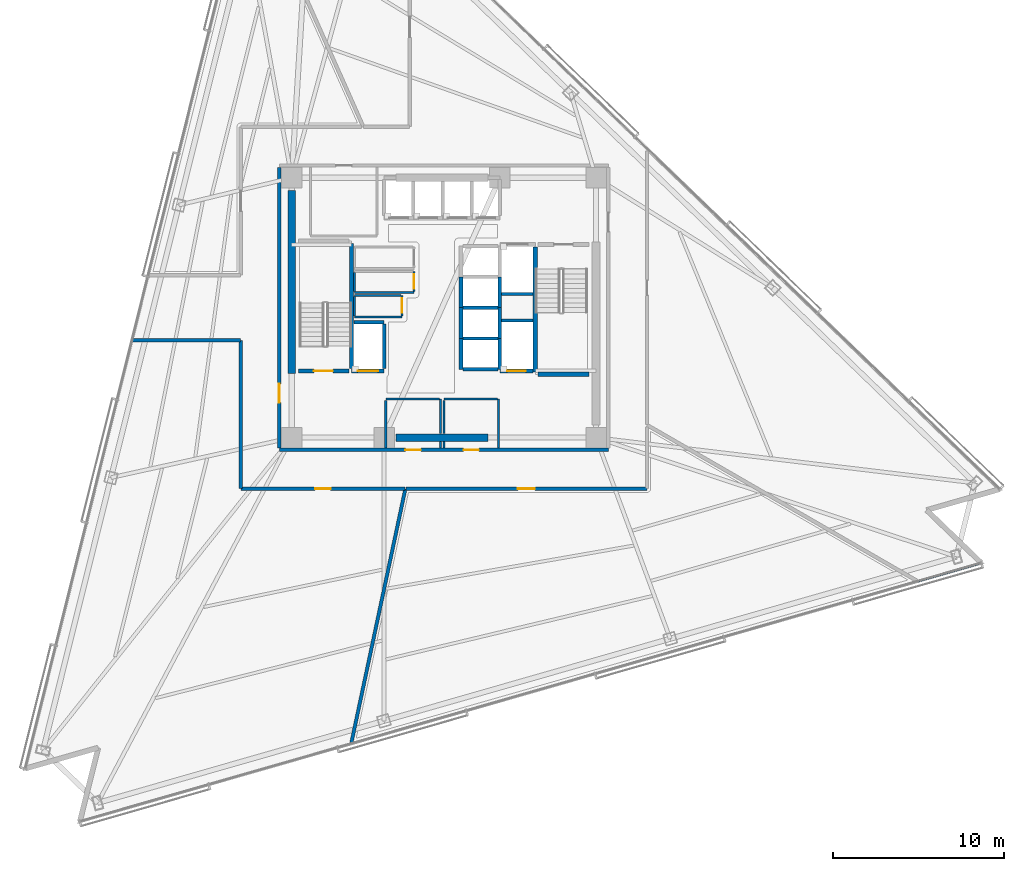
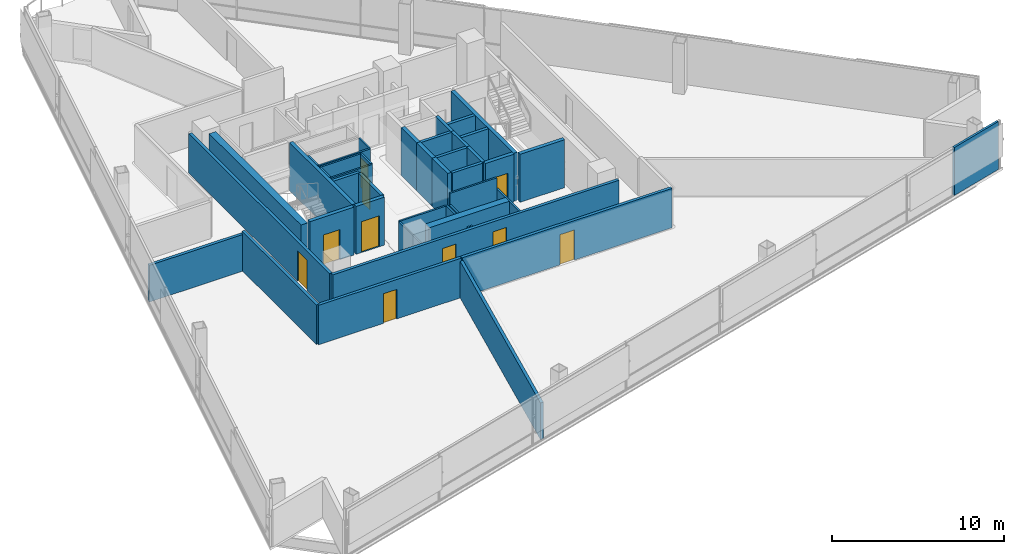
# One storey, part 9 of 16: 44 walls, 10 doors, 10 openings.
"""IFC4 building model written with IfcOpenShell, lengths in metres."""

from ifc_helpers import new_model, si_unit, direction, frame, frame_2d, origin, place, context, subcontext, project, spatial, rectangle, extrude, material, layer, layer_set, type_object, element, fill, save


model = new_model("IFC4")

# Units and contexts
model_context = context("Model", 3, precision=1e-05, world=origin(), true_north=direction((0.0, 1.0)))
body_context = subcontext(model_context, "Body", "Model", "MODEL_VIEW")
ifc_project = project(units=[si_unit("LENGTHUNIT", "METRE"), si_unit("AREAUNIT", "SQUARE_METRE"), si_unit("VOLUMEUNIT", "CUBIC_METRE"), si_unit("PLANEANGLEUNIT", "RADIAN"), si_unit("MASSUNIT", "GRAM", prefix="KILO")], contexts=[model_context])

# Site, building, storey
site_placement = place(None, origin())
site = spatial("IfcSite", under=ifc_project, at=site_placement, CompositionType="ELEMENT")
building_placement = place(site_placement, origin())
building = spatial("IfcBuilding", under=site, at=building_placement, Name="Tharavind Bronze Gate", CompositionType="ELEMENT")
storey_placement = place(building_placement, frame((0.0, 0.0, 104.10009765625)))
storey = spatial("IfcBuildingStorey", under=building, at=storey_placement, Name="L26", CompositionType="ELEMENT", Elevation=104.10009765625)

# Wall, openings, doors
ifc_material_1 = material(Name="Aerated Concrete Block", Category="concrete")
ifc_layer_1 = layer(ifc_material_1, 0.199951171875)
ifc_layer_set_1 = layer_set([ifc_layer_1], Name="Aerated Concrete Block")
wall_type_1 = type_object("IfcWallType", Name="FIRE RATED PARTITION 200", PredefinedType="PARTITIONING", material=ifc_layer_set_1)
wall_1_placement = place(storey_placement, frame((-9.6201171875, -8.320068359375, 0.0), z_axis=(0.0, 0.0, 1.0), x_axis=(1.0, 0.0, 0.0)))
wall_1 = element("IfcWall", 1, at=wall_1_placement, inside=storey, type_object=wall_type_1, Name="L26 south core corridor wall", PredefinedType="PARTITIONING", context=body_context, shape_type="SweptSolid", body=[
    extrude(rectangle(XDim=19.240234375, YDim=0.199951171875, at=frame_2d((9.6201171875, 0.0))), origin(), (0.0, 0.0, 1.0), 2.804931640625),
])
opening_1_placement = place(wall_1_placement, frame((7.3701171875, 0.0, 0.0)))
opening_1 = element("IfcOpeningElement", 2, at=opening_1_placement, cuts=wall_1, Name="Opening ID07", PredefinedType="OPENING", context=body_context, shape_type="SweptSolid", body=[
    extrude(rectangle(XDim=0.89990234375, YDim=2.10009765625, at=frame_2d((0.449951171875, 1.050048828125))), frame((0.0, 0.11009765625, 0.0), z_axis=(0.0, -1.0, 0.0), x_axis=(1.0, 0.0, 0.0)), (0.0, 0.0, 1.0), 0.219951171875),
])
opening_2_placement = place(wall_1_placement, frame((10.77001953125, 0.0, 0.0)))
opening_2 = element("IfcOpeningElement", 3, at=opening_2_placement, cuts=wall_1, Name="Opening ID07", PredefinedType="OPENING", context=body_context, shape_type="SweptSolid", body=[
    extrude(rectangle(XDim=0.89990234375, YDim=2.10009765625, at=frame_2d((0.449951171875, 1.050048828125))), frame((0.0, 0.11009765625, 0.0), z_axis=(0.0, -1.0, 0.0), x_axis=(1.0, 0.0, 0.0)), (0.0, 0.0, 1.0), 0.219951171875),
])
ifc_material_2 = material(Name="Galvanised Fire Steel", Category="steel")
door_type_1 = type_object("IfcDoorType", Name="PLANT AND RISER FIRE DOOR 900X2100", OperationType="SINGLE_SWING_LEFT", PredefinedType="DOOR", material=ifc_material_2)
door_1_placement = place(opening_1_placement, frame((0.89990234375, 0.0, 0.0), z_axis=(0.0, 0.0, 1.0), x_axis=(-1.0, 0.0, 0.0)))
door_1 = element("IfcDoor", 4, at=door_1_placement, inside=storey, type_object=door_type_1, Name="L26 Core Archive Store fire door", OperationType="SINGLE_SWING_LEFT", OverallHeight=2.10009765625, OverallWidth=0.89990234375, PredefinedType="DOOR", context=body_context, shape_type="SweptSolid", body=[
    extrude(rectangle(XDim=0.89990234375, YDim=2.10009765625, at=frame_2d((0.449951171875, 1.050048828125))), frame((0.0, 0.02490234375, 0.0), z_axis=(0.0, -1.0, 0.0), x_axis=(1.0, 0.0, 0.0)), (0.0, 0.0, 1.0), 0.050048828125),
])
fill(opening_1, door_1)
door_2_placement = place(opening_2_placement, frame((0.89990234375, 0.0, 0.0), z_axis=(0.0, 0.0, 1.0), x_axis=(-1.0, 0.0, 0.0)))
door_2 = element("IfcDoor", 5, at=door_2_placement, inside=storey, type_object=door_type_1, Name="L26 Core Server Room fire door", OperationType="SINGLE_SWING_LEFT", OverallHeight=2.10009765625, OverallWidth=0.89990234375, PredefinedType="DOOR", context=body_context, shape_type="SweptSolid", body=[
    extrude(rectangle(XDim=0.89990234375, YDim=2.10009765625, at=frame_2d((0.449951171875, 1.050048828125))), frame((0.0, 0.02490234375, 0.0), z_axis=(0.0, -1.0, 0.0), x_axis=(1.0, 0.0, 0.0)), (0.0, 0.0, 1.0), 0.050048828125),
])
fill(opening_2, door_2)

# Wall, opening, door
wall_2_placement = place(storey_placement, frame((-9.6201171875, 8.199951171875, 0.0), z_axis=(0.0, 0.0, 1.0), x_axis=(0.0, -1.0, 0.0)))
wall_2 = element("IfcWall", 6, at=wall_2_placement, inside=storey, type_object=wall_type_1, Name="L26 west core corridor wall", PredefinedType="PARTITIONING", context=body_context, shape_type="SweptSolid", body=[
    extrude(rectangle(XDim=16.39990234375, YDim=0.199951171875, at=frame_2d((8.199951171875, 0.0))), origin(), (0.0, 0.0, 1.0), 2.804931640625),
])
opening_3_placement = place(wall_2_placement, frame((12.64990234375, 0.0, 0.0)))
opening_3 = element("IfcOpeningElement", 7, at=opening_3_placement, cuts=wall_2, Name="Opening ID01", PredefinedType="OPENING", context=body_context, shape_type="SweptSolid", body=[
    extrude(rectangle(XDim=1.10009765625, YDim=2.14990234375, at=frame_2d((0.550048828125, 1.074951171875))), frame((0.0, 0.11009765625, 0.0), z_axis=(0.0, -1.0, 0.0), x_axis=(1.0, 0.0, 0.0)), (0.0, 0.0, 1.0), 0.219951171875),
])
ifc_material_3 = material(Name="Fire-Rated Steel", Category="steel")
door_type_2 = type_object("IfcDoorType", Name="STAIR CORE FIRE DOOR 1100X2150", OperationType="SINGLE_SWING_LEFT", PredefinedType="DOOR", material=ifc_material_3)
door_3_placement = place(opening_3_placement, frame((1.10009765625, 0.0, 0.0), z_axis=(0.0, 0.0, 1.0), x_axis=(-1.0, 0.0, 0.0)))
door_3 = element("IfcDoor", 8, at=door_3_placement, inside=storey, type_object=door_type_2, Name="L26 south west stair lobby fire door", OperationType="SINGLE_SWING_LEFT", OverallHeight=2.14990234375, OverallWidth=1.10009765625, PredefinedType="DOOR", context=body_context, shape_type="SweptSolid", body=[
    extrude(rectangle(XDim=1.10009765625, YDim=2.14990234375, at=frame_2d((0.550048828125, 1.074951171875))), frame((0.0, 0.02490234375, 0.0), z_axis=(0.0, -1.0, 0.0), x_axis=(1.0, 0.0, 0.0)), (0.0, 0.0, 1.0), 0.050048828125),
])
fill(opening_3, door_3)

# Walls
wall_3_placement = place(storey_placement, frame((-18.240234375, -1.89990234375, 0.0), z_axis=(0.0, 0.0, 1.0), x_axis=(1.0, 0.0, 0.0)))
element("IfcWall", 9, at=wall_3_placement, inside=storey, type_object=wall_type_1, Name="L26 Catering Pantry partition", PredefinedType="PARTITIONING", context=body_context, shape_type="SweptSolid", body=[
    extrude(rectangle(XDim=6.335205078125, YDim=0.199951171875, at=frame_2d((3.16748046875, 0.0))), origin(), (0.0, 0.0, 1.0), 2.60498046875),
])
wall_4_placement = place(storey_placement, frame((-11.8798828125, -1.925048828125, 0.0), z_axis=(0.0, 0.0, 1.0), x_axis=(0.0, -1.0, 0.0)))
element("IfcWall", 10, at=wall_4_placement, inside=storey, type_object=wall_type_1, Name="L26 Catering Pantry partition", PredefinedType="PARTITIONING", context=body_context, shape_type="SweptSolid", body=[
    extrude(rectangle(XDim=8.654296875, YDim=0.199951171875, at=frame_2d((4.3271484375, 0.0))), origin(), (0.0, 0.0, 1.0), 2.804931640625),
])

# Wall, opening, door
wall_5_placement = place(storey_placement, frame((-11.87939453125, -10.580078125, 0.0), z_axis=(0.0, 0.0, 1.0), x_axis=(1.0, 0.0, 0.0)))
wall_5 = element("IfcWall", 11, at=wall_5_placement, inside=storey, type_object=wall_type_1, Name="L26 Catering Pantry partition", PredefinedType="PARTITIONING", context=body_context, shape_type="SweptSolid", body=[
    extrude(rectangle(XDim=9.599609375, YDim=0.199951171875, at=frame_2d((4.7998046875, 0.0))), origin(), (0.0, 0.0, 1.0), 2.804931640625),
])
opening_4_placement = place(wall_5_placement, frame((4.35009765625, 0.0, 0.0)))
opening_4 = element("IfcOpeningElement", 12, at=opening_4_placement, cuts=wall_5, Name="Opening ID07", PredefinedType="OPENING", context=body_context, shape_type="SweptSolid", body=[
    extrude(rectangle(XDim=0.89990234375, YDim=2.10009765625, at=frame_2d((0.449951171875, 1.050048828125))), frame((0.0, 0.11009765625, 0.0), z_axis=(0.0, -1.0, 0.0), x_axis=(1.0, 0.0, 0.0)), (0.0, 0.0, 1.0), 0.219951171875),
])
door_4_placement = place(opening_4_placement, origin())
door_4 = element("IfcDoor", 13, at=door_4_placement, inside=storey, type_object=door_type_1, Name="L26 Catering Pantry door", OperationType="SINGLE_SWING_LEFT", OverallHeight=2.10009765625, OverallWidth=0.89990234375, PredefinedType="DOOR", context=body_context, shape_type="SweptSolid", body=[
    extrude(rectangle(XDim=0.89990234375, YDim=2.10009765625, at=frame_2d((0.449951171875, 1.050048828125))), frame((0.0, 0.02490234375, 0.0), z_axis=(0.0, -1.0, 0.0), x_axis=(1.0, 0.0, 0.0)), (0.0, 0.0, 1.0), 0.050048828125),
])
fill(opening_4, door_4)

# Wall
wall_6_placement = place(storey_placement, frame((-2.25537109375, -10.610107421875, 0.0), z_axis=(0.0, 0.0, 1.0), x_axis=(-0.207899089065, -0.978150279234, 0.0)))
element("IfcWall", 14, at=wall_6_placement, inside=storey, type_object=wall_type_1, Name="L26 Catering Pantry partition", PredefinedType="PARTITIONING", context=body_context, shape_type="SweptSolid", body=[
    extrude(rectangle(XDim=15.202880859375, YDim=0.199951171875, at=frame_2d((7.6015625, 0.0))), origin(), (0.0, 0.0, 1.0), 2.60498046875),
])

# Wall, opening, door
wall_7_placement = place(storey_placement, frame((-2.228515625, -10.580078125, 0.0), z_axis=(0.0, 0.0, 1.0), x_axis=(1.0, 0.0, 0.0)))
wall_7 = element("IfcWall", 15, at=wall_7_placement, inside=storey, type_object=wall_type_1, Name="L26 Family Advisory Office partition", PredefinedType="PARTITIONING", context=body_context, shape_type="SweptSolid", body=[
    extrude(rectangle(XDim=14.10791015625, YDim=0.199951171875, at=frame_2d((7.053955078125, 0.0))), origin(), (0.0, 0.0, 1.0), 2.804931640625),
])
opening_5_placement = place(wall_7_placement, frame((6.553955078125, 0.0, 0.0)))
opening_5 = element("IfcOpeningElement", 16, at=opening_5_placement, cuts=wall_7, Name="Opening ID04", PredefinedType="OPENING", context=body_context, shape_type="SweptSolid", body=[
    extrude(rectangle(XDim=1.0, YDim=2.14990234375, at=frame_2d((0.5, 1.074951171875))), frame((0.0, 0.11009765625, 0.0), z_axis=(0.0, -1.0, 0.0), x_axis=(1.0, 0.0, 0.0)), (0.0, 0.0, 1.0), 0.219951171875),
])
ifc_material_4 = material(Name="Bronze Framed Acoustic Timber", Category="wood")
door_type_3 = type_object("IfcDoorType", Name="OFFICE TENANCY DOOR 1000X2150", OperationType="SINGLE_SWING_RIGHT", PredefinedType="DOOR", material=ifc_material_4)
door_5_placement = place(opening_5_placement, origin())
door_5 = element("IfcDoor", 17, at=door_5_placement, inside=storey, type_object=door_type_3, Name="L26 Family Advisory Office door", OperationType="SINGLE_SWING_RIGHT", OverallHeight=2.14990234375, OverallWidth=1.0, PredefinedType="DOOR", context=body_context, shape_type="SweptSolid", body=[
    extrude(rectangle(XDim=1.0, YDim=2.14990234375, at=frame_2d((0.5, 1.074951171875))), frame((0.0, 0.02490234375, 0.0), z_axis=(0.0, -1.0, 0.0), x_axis=(1.0, 0.0, 0.0)), (0.0, 0.0, 1.0), 0.050048828125),
])
fill(opening_5, door_5)

# Wall
ifc_material_5 = material(Name="Metal Stud Gypsum Partition", Category="gypsum")
ifc_layer_2 = layer(ifc_material_5, 0.1201171875)
ifc_layer_set_2 = layer_set([ifc_layer_2], Name="Metal Stud Gypsum Partition")
wall_type_2 = type_object("IfcWallType", Name="INTERIOR PARTITION WALL 120", PredefinedType="PARTITIONING", material=ifc_layer_set_2)
wall_8_placement = place(storey_placement, frame((-5.219970703125, 0.8798828125, 0.0), z_axis=(0.0, 0.0, 1.0), x_axis=(1.0, 0.0, 0.0)))
element("IfcWall", 18, at=wall_8_placement, inside=storey, type_object=wall_type_2, Name="L26 Comms Data Room partition 1", PredefinedType="PARTITIONING", context=body_context, shape_type="SweptSolid", body=[
    extrude(rectangle(XDim=3.469970703125, YDim=0.1201171875, at=frame_2d((1.73486328125, 0.0))), origin(), (0.0, 0.0, 1.0), 3.409912109375),
])

# Wall, opening, door
wall_9_placement = place(storey_placement, frame((-1.75, 0.945068359375, 0.0), z_axis=(0.0, 0.0, 1.0), x_axis=(0.0, 1.0, 0.0)))
wall_9 = element("IfcWall", 19, at=wall_9_placement, inside=storey, type_object=wall_type_2, Name="L26 Comms Data Room partition 2", PredefinedType="PARTITIONING", context=body_context, shape_type="SweptSolid", body=[
    extrude(rectangle(XDim=1.175048828125, YDim=0.1201171875, at=frame_2d((0.58740234375, 0.0))), origin(), (0.0, 0.0, 1.0), 3.409912109375),
])
opening_6_placement = place(wall_9_placement, frame((0.1630859375, 0.0, 0.0)))
opening_6 = element("IfcOpeningElement", 20, at=opening_6_placement, cuts=wall_9, Name="Opening ID06", PredefinedType="OPENING", context=body_context, shape_type="SweptSolid", body=[
    extrude(rectangle(XDim=0.85009765625, YDim=2.10009765625, at=frame_2d((0.425048828125, 1.050048828125))), frame((0.0, 0.07005859375, 0.0), z_axis=(0.0, -1.0, 0.0), x_axis=(1.0, 0.0, 0.0)), (0.0, 0.0, 1.0), 0.1401171875),
])
ifc_material_6 = material(Name="Moisture-Resistant Timber", Category="wood")
door_type_4 = type_object("IfcDoorType", Name="BATHROOM PRIVACY DOOR 850X2100", OperationType="SINGLE_SWING_RIGHT", PredefinedType="DOOR", material=ifc_material_6)
door_6_placement = place(opening_6_placement, frame((0.85009765625, 0.0, 0.0), z_axis=(0.0, 0.0, 1.0), x_axis=(-1.0, 0.0, 0.0)))
door_6 = element("IfcDoor", 21, at=door_6_placement, inside=storey, type_object=door_type_4, Name="L26 Comms Data Room door", OperationType="SINGLE_SWING_RIGHT", OverallHeight=2.10009765625, OverallWidth=0.85009765625, PredefinedType="DOOR", context=body_context, shape_type="SweptSolid", body=[
    extrude(rectangle(XDim=0.85009765625, YDim=2.10009765625, at=frame_2d((0.425048828125, 1.050048828125))), frame((0.0, 0.02490234375, 0.0), z_axis=(0.0, -1.0, 0.0), x_axis=(1.0, 0.0, 0.0)), (0.0, 0.0, 1.0), 0.050048828125),
])
fill(opening_6, door_6)

# Walls
wall_10_placement = place(storey_placement, frame((-5.219970703125, 2.054931640625, 0.0), z_axis=(0.0, 0.0, 1.0), x_axis=(0.0, -1.0, 0.0)))
element("IfcWall", 22, at=wall_10_placement, inside=storey, type_object=wall_type_2, Name="L26 Comms Data Room partition 4", PredefinedType="PARTITIONING", context=body_context, shape_type="SweptSolid", body=[
    extrude(rectangle(XDim=1.10986328125, YDim=0.1201171875, at=frame_2d((0.554931640625, 0.0))), origin(), (0.0, 0.0, 1.0), 3.409912109375),
])
wall_11_placement = place(storey_placement, frame((-5.219970703125, -0.550048828125, 0.0), z_axis=(0.0, 0.0, 1.0), x_axis=(1.0, 0.0, 0.0)))
element("IfcWall", 23, at=wall_11_placement, inside=storey, type_object=wall_type_2, Name="L26 Electrical Metering Store partition 1", PredefinedType="PARTITIONING", context=body_context, shape_type="SweptSolid", body=[
    extrude(rectangle(XDim=2.77001953125, YDim=0.1201171875, at=frame_2d((1.385009765625, 0.0))), origin(), (0.0, 0.0, 1.0), 3.409912109375),
])

# Wall, opening, door
wall_12_placement = place(storey_placement, frame((-2.449951171875, -0.485107421875, 0.0), z_axis=(0.0, 0.0, 1.0), x_axis=(0.0, 1.0, 0.0)))
wall_12 = element("IfcWall", 24, at=wall_12_placement, inside=storey, type_object=wall_type_2, Name="L26 Electrical Metering Store partition 2", PredefinedType="PARTITIONING", context=body_context, shape_type="SweptSolid", body=[
    extrude(rectangle(XDim=1.205078125, YDim=0.1201171875, at=frame_2d((0.6025390625, 0.0))), origin(), (0.0, 0.0, 1.0), 3.409912109375),
])
opening_7_placement = place(wall_12_placement, frame((0.177978515625, 0.0, 0.0)))
opening_7 = element("IfcOpeningElement", 25, at=opening_7_placement, cuts=wall_12, Name="Opening ID06", PredefinedType="OPENING", context=body_context, shape_type="SweptSolid", body=[
    extrude(rectangle(XDim=0.85009765625, YDim=2.10009765625, at=frame_2d((0.425048828125, 1.050048828125))), frame((0.0, 0.07005859375, 0.0), z_axis=(0.0, -1.0, 0.0), x_axis=(1.0, 0.0, 0.0)), (0.0, 0.0, 1.0), 0.1401171875),
])
door_7_placement = place(opening_7_placement, frame((0.85009765625, 0.0, 0.0), z_axis=(0.0, 0.0, 1.0), x_axis=(-1.0, 0.0, 0.0)))
door_7 = element("IfcDoor", 26, at=door_7_placement, inside=storey, type_object=door_type_4, Name="L26 Electrical Metering Store door", OperationType="SINGLE_SWING_RIGHT", OverallHeight=2.10009765625, OverallWidth=0.85009765625, PredefinedType="DOOR", context=body_context, shape_type="SweptSolid", body=[
    extrude(rectangle(XDim=0.85009765625, YDim=2.10009765625, at=frame_2d((0.425048828125, 1.050048828125))), frame((0.0, 0.02490234375, 0.0), z_axis=(0.0, -1.0, 0.0), x_axis=(1.0, 0.0, 0.0)), (0.0, 0.0, 1.0), 0.050048828125),
])
fill(opening_7, door_7)

# Walls
wall_13_placement = place(storey_placement, frame((-2.514892578125, 0.719970703125, 0.0), z_axis=(0.0, 0.0, 1.0), x_axis=(-1.0, 0.0, 0.0)))
element("IfcWall", 27, at=wall_13_placement, inside=storey, type_object=wall_type_2, Name="L26 Electrical Metering Store partition 3", PredefinedType="PARTITIONING", context=body_context, shape_type="SweptSolid", body=[
    extrude(rectangle(XDim=2.705078125, YDim=0.1201171875, at=frame_2d((1.3525390625, 0.0))), origin(), (0.0, 0.0, 1.0), 3.409912109375),
])
wall_14_placement = place(storey_placement, frame((-5.219970703125, 0.655029296875, 0.0), z_axis=(0.0, 0.0, 1.0), x_axis=(0.0, -1.0, 0.0)))
element("IfcWall", 28, at=wall_14_placement, inside=storey, type_object=wall_type_2, Name="L26 Electrical Metering Store partition 4", PredefinedType="PARTITIONING", context=body_context, shape_type="SweptSolid", body=[
    extrude(rectangle(XDim=1.14013671875, YDim=0.1201171875, at=frame_2d((0.570068359375, 0.0))), origin(), (0.0, 0.0, 1.0), 3.409912109375),
])
wall_15_placement = place(storey_placement, frame((-0.199951171875, -8.215087890625, 0.0), z_axis=(0.0, 0.0, 1.0), x_axis=(0.0, 1.0, 0.0)))
element("IfcWall", 29, at=wall_15_placement, inside=storey, type_object=wall_type_2, Name="L26 Core Archive Store partition 2", PredefinedType="PARTITIONING", context=body_context, shape_type="SweptSolid", body=[
    extrude(rectangle(XDim=0.385009765625, YDim=0.1201171875, at=frame_2d((0.1923828125, 0.0))), origin(), (0.0, 0.0, 1.0), 2.60498046875),
])
wall_16_placement = place(storey_placement, frame((-0.199951171875, -7.3701171875, 0.0), z_axis=(0.0, 0.0, 1.0), x_axis=(0.0, 1.0, 0.0)))
element("IfcWall", 30, at=wall_16_placement, inside=storey, type_object=wall_type_2, Name="L26 Core Archive Store partition 2", PredefinedType="PARTITIONING", context=body_context, shape_type="SweptSolid", body=[
    extrude(rectangle(XDim=2.02001953125, YDim=0.1201171875, at=frame_2d((1.010009765625, 0.0))), origin(), (0.0, 0.0, 1.0), 2.60498046875),
])
wall_17_placement = place(storey_placement, frame((-0.264892578125, -5.35009765625, 0.0), z_axis=(0.0, 0.0, 1.0), x_axis=(-1.0, 0.0, 0.0)))
element("IfcWall", 31, at=wall_17_placement, inside=storey, type_object=wall_type_2, Name="L26 Core Archive Store partition 3", PredefinedType="PARTITIONING", context=body_context, shape_type="SweptSolid", body=[
    extrude(rectangle(XDim=3.135009765625, YDim=0.1201171875, at=frame_2d((1.5673828125, 0.0))), origin(), (0.0, 0.0, 1.0), 2.60498046875),
])
wall_18_placement = place(storey_placement, frame((-3.39990234375, -5.4150390625, 0.0), z_axis=(0.0, 0.0, 1.0), x_axis=(0.0, -1.0, 0.0)))
element("IfcWall", 32, at=wall_18_placement, inside=storey, type_object=wall_type_2, Name="L26 Core Archive Store partition 4", PredefinedType="PARTITIONING", context=body_context, shape_type="SweptSolid", body=[
    extrude(rectangle(XDim=2.800048828125, YDim=0.1201171875, at=frame_2d((1.39990234375, 0.0))), origin(), (0.0, 0.0, 1.0), 2.60498046875),
])
wall_19_placement = place(storey_placement, frame((3.199951171875, -8.215087890625, 0.0), z_axis=(0.0, 0.0, 1.0), x_axis=(0.0, 1.0, 0.0)))
element("IfcWall", 33, at=wall_19_placement, inside=storey, type_object=wall_type_2, Name="L26 Core Server Room partition 2", PredefinedType="PARTITIONING", context=body_context, shape_type="SweptSolid", body=[
    extrude(rectangle(XDim=2.864990234375, YDim=0.1201171875, at=frame_2d((1.4326171875, 0.0))), origin(), (0.0, 0.0, 1.0), 2.60498046875),
])
wall_20_placement = place(storey_placement, frame((3.135009765625, -5.35009765625, 0.0), z_axis=(0.0, 0.0, 1.0), x_axis=(-1.0, 0.0, 0.0)))
element("IfcWall", 34, at=wall_20_placement, inside=storey, type_object=wall_type_2, Name="L26 Core Server Room partition 3", PredefinedType="PARTITIONING", context=body_context, shape_type="SweptSolid", body=[
    extrude(rectangle(XDim=3.135009765625, YDim=0.1201171875, at=frame_2d((1.5673828125, 0.0))), origin(), (0.0, 0.0, 1.0), 3.409912109375),
])
wall_21_placement = place(storey_placement, frame((0.0, -5.4150390625, 0.0), z_axis=(0.0, 0.0, 1.0), x_axis=(0.0, -1.0, 0.0)))
element("IfcWall", 35, at=wall_21_placement, inside=storey, type_object=wall_type_2, Name="L26 Core Server Room partition 4", PredefinedType="PARTITIONING", context=body_context, shape_type="SweptSolid", body=[
    extrude(rectangle(XDim=1.955078125, YDim=0.1201171875, at=frame_2d((0.9775390625, 0.0))), origin(), (0.0, 0.0, 1.0), 2.60498046875),
])
wall_22_placement = place(storey_placement, frame((0.0, -7.830078125, 0.0), z_axis=(0.0, 0.0, 1.0), x_axis=(0.0, -1.0, 0.0)))
element("IfcWall", 36, at=wall_22_placement, inside=storey, type_object=wall_type_2, Name="L26 Core Server Room partition 4", PredefinedType="PARTITIONING", context=body_context, shape_type="SweptSolid", body=[
    extrude(rectangle(XDim=0.385009765625, YDim=0.1201171875, at=frame_2d((0.1923828125, 0.0))), origin(), (0.0, 0.0, 1.0), 2.60498046875),
])
ifc_material_7 = material(Name="Twin Stud Acoustic Gypsum", Category="gypsum")
ifc_layer_3 = layer(ifc_material_7, 0.14990234375)
ifc_layer_set_3 = layer_set([ifc_layer_3], Name="Twin Stud Acoustic Gypsum")
wall_type_3 = type_object("IfcWallType", Name="INTERIOR PARTITION WALL 150", PredefinedType="PARTITIONING", material=ifc_layer_set_3)
wall_23_placement = place(storey_placement, frame((31.2666015625, -14.975830078125, 0.0), z_axis=(0.0, 0.0, 1.0), x_axis=(-0.96126154114, -0.275637895661, 0.0)))
element("IfcWall", 37, at=wall_23_placement, inside=storey, type_object=wall_type_3, Name="L26 Public Restrooms Block partition", PredefinedType="PARTITIONING", context=body_context, shape_type="SweptSolid", body=[
    extrude(rectangle(XDim=3.692626953125, YDim=0.14990234375, at=frame_2d((1.84619140625, 0.0))), origin(), (0.0, 0.0, 1.0), 3.409912109375),
])
ifc_material_8 = material(Name="Concrete C50/60", Category="concrete")
ifc_layer_4 = layer(ifc_material_8, 0.25)
ifc_layer_set_4 = layer_set([ifc_layer_4], Name="Concrete C50/60")
wall_type_4 = type_object("IfcWallType", Name="RC CORE SHEAR WALL 250", PredefinedType="SHEAR", material=ifc_layer_set_4)
wall_24_placement = place(storey_placement, frame((-5.39990234375, -3.550048828125, 0.0), z_axis=(0.0, 0.0, 1.0), x_axis=(0.0, 1.0, 0.0)))
element("IfcWall", 38, at=wall_24_placement, inside=storey, type_object=wall_type_4, Name="L26 ST1 shaft east wall", PredefinedType="SHEAR", context=body_context, shape_type="SweptSolid", body=[
    extrude(rectangle(XDim=7.300048828125, YDim=0.25, at=frame_2d((3.64990234375, 0.0))), origin(), (0.0, 0.0, 1.0), 3.409912109375),
])

# Wall, opening, door
wall_25_placement = place(storey_placement, frame((-8.5, -3.699951171875, 0.0), z_axis=(0.0, 0.0, 1.0), x_axis=(1.0, 0.0, 0.0)))
wall_25 = element("IfcWall", 39, at=wall_25_placement, inside=storey, type_object=wall_type_4, Name="L26 ST1 shaft south wall", PredefinedType="SHEAR", context=body_context, shape_type="SweptSolid", body=[
    extrude(rectangle(XDim=2.949951171875, YDim=0.25, at=frame_2d((1.47509765625, 0.0))), origin(), (0.0, 0.0, 1.0), 3.409912109375),
])
opening_8_placement = place(wall_25_placement, frame((0.89990234375, 0.0, 0.0)))
opening_8 = element("IfcOpeningElement", 40, at=opening_8_placement, cuts=wall_25, Name="Opening ID01", PredefinedType="OPENING", context=body_context, shape_type="SweptSolid", body=[
    extrude(rectangle(XDim=1.10009765625, YDim=2.14990234375, at=frame_2d((0.550048828125, 1.074951171875))), frame((0.0, 0.135, 0.0), z_axis=(0.0, -1.0, 0.0), x_axis=(1.0, 0.0, 0.0)), (0.0, 0.0, 1.0), 0.27),
])
door_8_placement = place(opening_8_placement, origin())
door_8 = element("IfcDoor", 41, at=door_8_placement, inside=storey, type_object=door_type_2, Name="L26 exit stair ST1 fire door", OperationType="SINGLE_SWING_LEFT", OverallHeight=2.14990234375, OverallWidth=1.10009765625, PredefinedType="DOOR", context=body_context, shape_type="SweptSolid", body=[
    extrude(rectangle(XDim=1.10009765625, YDim=2.14990234375, at=frame_2d((0.550048828125, 1.074951171875))), frame((0.0, 0.02490234375, 0.0), z_axis=(0.0, -1.0, 0.0), x_axis=(1.0, 0.0, 0.0)), (0.0, 0.0, 1.0), 0.050048828125),
])
fill(opening_8, door_8)

# Walls
wall_26_placement = place(storey_placement, frame((5.35009765625, -3.75, 0.0), z_axis=(0.0, 0.0, 1.0), x_axis=(0.0, 1.0, 0.0)))
element("IfcWall", 42, at=wall_26_placement, inside=storey, type_object=wall_type_4, Name="L26 ST2 shaft west wall", PredefinedType="SHEAR", context=body_context, shape_type="SweptSolid", body=[
    extrude(rectangle(XDim=7.300048828125, YDim=0.25, at=frame_2d((3.64990234375, 0.0))), origin(), (0.0, 0.0, 1.0), 3.409912109375),
])
wall_27_placement = place(storey_placement, frame((5.5, -3.89990234375, 0.0), z_axis=(0.0, 0.0, 1.0), x_axis=(1.0, 0.0, 0.0)))
element("IfcWall", 43, at=wall_27_placement, inside=storey, type_object=wall_type_4, Name="L26 ST2 shaft south wall", PredefinedType="SHEAR", context=body_context, shape_type="SweptSolid", body=[
    extrude(rectangle(XDim=3.0, YDim=0.25, at=frame_2d((1.5, 0.0))), origin(), (0.0, 0.0, 1.0), 3.409912109375),
])
for number, where, z_axis, x_axis, name in (
    (44, (1.0, -3.60009765625, 0.0), (0.0, 0.0, 1.0), (0.0, 1.0, 0.0), "L26 lift PL9 shaft front wall"),
    (45, (1.0, -1.800048828125, 0.0), (0.0, 0.0, 1.0), (0.0, 1.0, 0.0), "L26 lift PL10 shaft front wall"),
    (46, (1.0, 0.0, 0.0), (0.0, 0.0, 1.0), (0.0, 1.0, 0.0), "L26 lift PL11 shaft front wall"),
):
    element("IfcWall", number, at=place(storey_placement, frame(where, z_axis=z_axis, x_axis=x_axis)), inside=storey, type_object=wall_type_4, Name=name, PredefinedType="SHEAR", context=body_context, shape_type="SweptSolid", body=[
        extrude(rectangle(XDim=1.800048828125, YDim=0.25, at=frame_2d((0.89990234375, 0.0))), origin(), (0.0, 0.0, 1.0), 3.409912109375),
    ])

# Wall, opening, door
wall_28_placement = place(storey_placement, frame((-5.39990234375, -3.699951171875, 0.0), z_axis=(0.0, 0.0, 1.0), x_axis=(1.0, 0.0, 0.0)))
wall_28 = element("IfcWall", 47, at=wall_28_placement, inside=storey, type_object=wall_type_4, Name="L26 lift FFL1 shaft front wall", PredefinedType="SHEAR", context=body_context, shape_type="SweptSolid", body=[
    extrude(rectangle(XDim=1.89990234375, YDim=0.25, at=frame_2d((0.949951171875, 0.0))), origin(), (0.0, 0.0, 1.0), 3.409912109375),
])
opening_9_placement = place(wall_28_placement, frame((0.35009765625, 0.0, 0.0)))
opening_9 = element("IfcOpeningElement", 48, at=opening_9_placement, cuts=wall_28, Name="Opening LD02", PredefinedType="OPENING", context=body_context, shape_type="SweptSolid", body=[
    extrude(rectangle(XDim=1.199951171875, YDim=2.199951171875, at=frame_2d((0.60009765625, 1.10009765625))), frame((0.0, 0.135, 0.0), z_axis=(0.0, -1.0, 0.0), x_axis=(1.0, 0.0, 0.0)), (0.0, 0.0, 1.0), 0.27),
])
ifc_material_9 = material(Name="Brushed Stainless Steel", Category="steel")
door_type_5 = type_object("IfcDoorType", Name="FIREFIGHTING LIFT LANDING DOOR 1200X2200", OperationType="SLIDING_TO_RIGHT", PredefinedType="DOOR", material=ifc_material_9)
door_9_placement = place(opening_9_placement, origin())
door_9 = element("IfcDoor", 49, at=door_9_placement, inside=storey, type_object=door_type_5, Name="L26 lift FFL1 sliding landing door", OperationType="SLIDING_TO_RIGHT", OverallHeight=2.199951171875, OverallWidth=1.199951171875, PredefinedType="DOOR", context=body_context, shape_type="SweptSolid", body=[
    extrude(rectangle(XDim=1.199951171875, YDim=2.199951171875, at=frame_2d((0.60009765625, 1.10009765625))), frame((0.0, 0.02490234375, 0.0), z_axis=(0.0, -1.0, 0.0), x_axis=(1.0, 0.0, 0.0)), (0.0, 0.0, 1.0), 0.050048828125),
])
fill(opening_9, door_9)

wall_29_placement = place(storey_placement, frame((3.280029296875, -3.699951171875, 0.0), z_axis=(0.0, 0.0, 1.0), x_axis=(1.0, 0.0, 0.0)))
wall_29 = element("IfcWall", 50, at=wall_29_placement, inside=storey, type_object=wall_type_4, Name="L26 lift SVL1 shaft front wall", PredefinedType="SHEAR", context=body_context, shape_type="SweptSolid", body=[
    extrude(rectangle(XDim=1.93994140625, YDim=0.25, at=frame_2d((0.969970703125, 0.0))), origin(), (0.0, 0.0, 1.0), 3.409912109375),
])
opening_10_placement = place(wall_29_placement, frame((0.419921875, 0.0, 0.0)))
opening_10 = element("IfcOpeningElement", 51, at=opening_10_placement, cuts=wall_29, Name="Opening LD01", PredefinedType="OPENING", context=body_context, shape_type="SweptSolid", body=[
    extrude(rectangle(XDim=1.10009765625, YDim=2.199951171875, at=frame_2d((0.550048828125, 1.10009765625))), frame((0.0, 0.135, 0.0), z_axis=(0.0, -1.0, 0.0), x_axis=(1.0, 0.0, 0.0)), (0.0, 0.0, 1.0), 0.27),
])
ifc_material_10 = material(Name="Brushed Bronze Stainless Steel", Category="steel")
door_type_6 = type_object("IfcDoorType", Name="LIFT LANDING SLIDING DOOR 1100X2200", OperationType="SLIDING_TO_LEFT", PredefinedType="DOOR", material=ifc_material_10)
door_10_placement = place(opening_10_placement, origin())
door_10 = element("IfcDoor", 52, at=door_10_placement, inside=storey, type_object=door_type_6, Name="L26 lift SVL1 sliding landing door", OperationType="SLIDING_TO_LEFT", OverallHeight=2.199951171875, OverallWidth=1.10009765625, PredefinedType="DOOR", context=body_context, shape_type="SweptSolid", body=[
    extrude(rectangle(XDim=1.10009765625, YDim=2.199951171875, at=frame_2d((0.550048828125, 1.10009765625))), frame((0.0, 0.02490234375, 0.0), z_axis=(0.0, -1.0, 0.0), x_axis=(1.0, 0.0, 0.0)), (0.0, 0.0, 1.0), 0.050048828125),
])
fill(opening_10, door_10)

# Walls
ifc_material_11 = material(Name="Concrete C60/75", Category="concrete")
ifc_layer_5 = layer(ifc_material_11, 0.449951171875)
ifc_layer_set_5 = layer_set([ifc_layer_5], Name="Concrete C60/75")
wall_type_5 = type_object("IfcWallType", Name="RC CORE SHEAR WALL 450", PredefinedType="SHEAR", material=ifc_layer_set_5)
wall_30_placement = place(storey_placement, frame((-2.800048828125, -7.60009765625, 0.0), z_axis=(0.0, 0.0, 1.0), x_axis=(1.0, 0.0, 0.0)))
element("IfcWall", 53, at=wall_30_placement, inside=storey, type_object=wall_type_5, Name="L26 south core shear wall", PredefinedType="SHEAR", context=body_context, shape_type="SweptSolid", body=[
    extrude(rectangle(XDim=5.380126953125, YDim=0.449951171875, at=frame_2d((2.68994140625, 0.0))), origin(), (0.0, 0.0, 1.0), 3.409912109375),
])
wall_31_placement = place(storey_placement, frame((-8.89990234375, -3.85009765625, 0.0), z_axis=(0.0, 0.0, 1.0), x_axis=(0.0, 1.0, 0.0)))
element("IfcWall", 54, at=wall_31_placement, inside=storey, type_object=wall_type_5, Name="L26 west core shear wall", PredefinedType="SHEAR", context=body_context, shape_type="SweptSolid", body=[
    extrude(rectangle(XDim=10.7001953125, YDim=0.449951171875, at=frame_2d((5.35009765625, 0.0))), origin(), (0.0, 0.0, 1.0), 3.409912109375),
])
ifc_material_12 = material(Name="Concrete C40/50", Category="concrete")
ifc_layer_6 = layer(ifc_material_12, 0.199951171875)
ifc_layer_set_6 = layer_set([ifc_layer_6], Name="Concrete C40/50")
wall_type_6 = type_object("IfcWallType", Name="SHAFT ENCLOSURE WALL 200", PredefinedType="PARTITIONING", material=ifc_layer_set_6)
wall_32_placement = place(storey_placement, frame((3.280029296875, -3.60009765625, 0.0), z_axis=(0.0, 0.0, 1.0), x_axis=(0.0, 1.0, 0.0)))
element("IfcWall", 55, at=wall_32_placement, inside=storey, type_object=wall_type_6, Name="L26 lift PL9 shaft E enclosure wall", PredefinedType="PARTITIONING", context=body_context, shape_type="SweptSolid", body=[
    extrude(rectangle(XDim=1.800048828125, YDim=0.199951171875, at=frame_2d((0.89990234375, 0.0))), origin(), (0.0, 0.0, 1.0), 3.409912109375),
])
for number, where, z_axis, x_axis, name in (
    (56, (1.1298828125, -3.60009765625, 0.0), (0.0, 0.0, 1.0), (1.0, 0.0, 0.0), "L26 lift PL9 shaft S enclosure wall"),
    (57, (1.1298828125, -1.800048828125, 0.0), (0.0, 0.0, 1.0), (1.0, 0.0, 0.0), "L26 lift PL9 shaft N enclosure wall"),
):
    element("IfcWall", number, at=place(storey_placement, frame(where, z_axis=z_axis, x_axis=x_axis)), inside=storey, type_object=wall_type_6, Name=name, PredefinedType="PARTITIONING", context=body_context, shape_type="SweptSolid", body=[
        extrude(rectangle(XDim=2.045166015625, YDim=0.199951171875, at=frame_2d((1.0224609375, 0.0))), origin(), (0.0, 0.0, 1.0), 3.409912109375),
    ])
wall_33_placement = place(storey_placement, frame((3.280029296875, -1.800048828125, 0.0), z_axis=(0.0, 0.0, 1.0), x_axis=(0.0, 1.0, 0.0)))
element("IfcWall", 58, at=wall_33_placement, inside=storey, type_object=wall_type_6, Name="L26 lift PL10 shaft E enclosure wall", PredefinedType="PARTITIONING", context=body_context, shape_type="SweptSolid", body=[
    extrude(rectangle(XDim=1.800048828125, YDim=0.199951171875, at=frame_2d((0.89990234375, 0.0))), origin(), (0.0, 0.0, 1.0), 3.409912109375),
])
wall_34_placement = place(storey_placement, frame((1.1298828125, 0.0, 0.0), z_axis=(0.0, 0.0, 1.0), x_axis=(1.0, 0.0, 0.0)))
element("IfcWall", 59, at=wall_34_placement, inside=storey, type_object=wall_type_6, Name="L26 lift PL10 shaft N enclosure wall", PredefinedType="PARTITIONING", context=body_context, shape_type="SweptSolid", body=[
    extrude(rectangle(XDim=2.045166015625, YDim=0.199951171875, at=frame_2d((1.0224609375, 0.0))), origin(), (0.0, 0.0, 1.0), 3.409912109375),
])
wall_35_placement = place(storey_placement, frame((3.280029296875, 0.0, 0.0), z_axis=(0.0, 0.0, 1.0), x_axis=(0.0, 1.0, 0.0)))
element("IfcWall", 60, at=wall_35_placement, inside=storey, type_object=wall_type_6, Name="L26 lift PL11 shaft E enclosure wall", PredefinedType="PARTITIONING", context=body_context, shape_type="SweptSolid", body=[
    extrude(rectangle(XDim=1.800048828125, YDim=0.199951171875, at=frame_2d((0.89990234375, 0.0))), origin(), (0.0, 0.0, 1.0), 3.409912109375),
])
wall_36_placement = place(storey_placement, frame((-5.27001953125, -0.85009765625, 0.0), z_axis=(0.0, 0.0, 1.0), x_axis=(1.0, 0.0, 0.0)))
element("IfcWall", 61, at=wall_36_placement, inside=storey, type_object=wall_type_6, Name="L26 lift FFL1 shaft N enclosure wall", PredefinedType="PARTITIONING", context=body_context, shape_type="SweptSolid", body=[
    extrude(rectangle(XDim=1.77001953125, YDim=0.199951171875, at=frame_2d((0.885009765625, 0.0))), origin(), (0.0, 0.0, 1.0), 3.409912109375),
])
wall_37_placement = place(storey_placement, frame((-3.5, -3.570068359375, 0.0), z_axis=(0.0, 0.0, 1.0), x_axis=(0.0, 1.0, 0.0)))
element("IfcWall", 62, at=wall_37_placement, inside=storey, type_object=wall_type_6, Name="L26 lift FFL1 shaft E enclosure wall", PredefinedType="PARTITIONING", context=body_context, shape_type="SweptSolid", body=[
    extrude(rectangle(XDim=2.614990234375, YDim=0.199951171875, at=frame_2d((1.3076171875, 0.0))), origin(), (0.0, 0.0, 1.0), 3.409912109375),
])
for number, where, z_axis, x_axis, name in (
    (63, (3.385009765625, 0.800048828125, 0.0), (0.0, 0.0, 1.0), (1.0, 0.0, 0.0), "L26 lift FFL2 shaft S enclosure wall"),
    (64, (3.385009765625, -0.75, 0.0), (0.0, 0.0, 1.0), (1.0, 0.0, 0.0), "L26 lift SVL1 shaft N enclosure wall"),
):
    element("IfcWall", number, at=place(storey_placement, frame(where, z_axis=z_axis, x_axis=x_axis)), inside=storey, type_object=wall_type_6, Name=name, PredefinedType="PARTITIONING", context=body_context, shape_type="SweptSolid", body=[
        extrude(rectangle(XDim=1.8349609375, YDim=0.199951171875, at=frame_2d((0.91748046875, 0.0))), origin(), (0.0, 0.0, 1.0), 3.409912109375),
    ])

save(model, "model.ifc")
